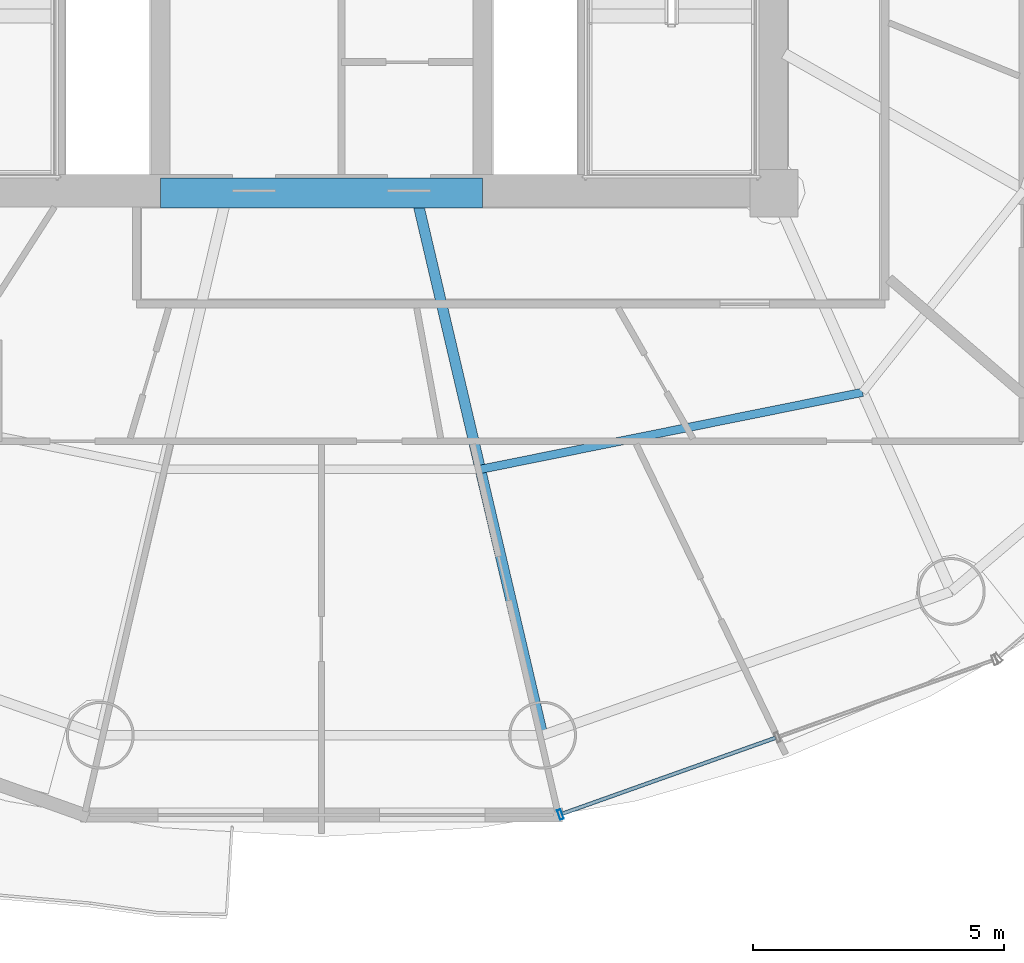
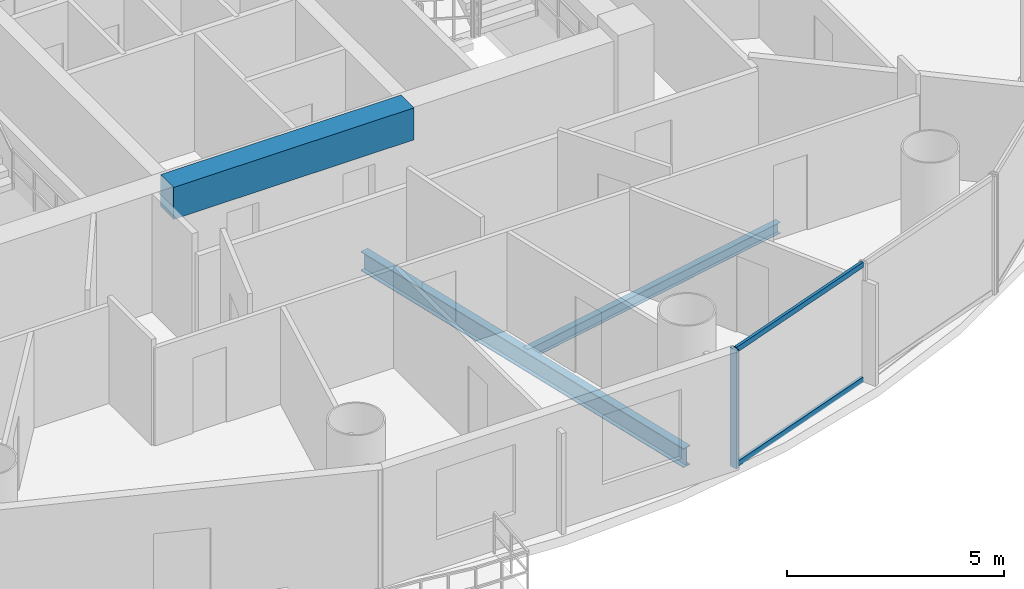
# One storey, part 5 of 27: 3 beams, 3 members, 1 element without a shape of its own.
"""IFC4 building model written with IfcOpenShell, lengths in metres."""

from ifc_helpers import new_model, si_unit, direction, frame, origin, origin_2d, place, context, subcontext, project, spatial, rectangle, hollow_rectangle, i_section, extrude, source, transform, mapped, material, material_profile, profile_set, type_object, element, aggregate, save


model = new_model("IFC4")

# Units and contexts
model_context = context("Model", 3, precision=1e-05, world=origin(), true_north=direction((-0.2419218956, 0.970295726276)))
body_context = subcontext(model_context, "Body", "Model", "MODEL_VIEW")
ifc_project = project(units=[si_unit("LENGTHUNIT", "METRE"), si_unit("AREAUNIT", "SQUARE_METRE"), si_unit("VOLUMEUNIT", "CUBIC_METRE"), si_unit("PLANEANGLEUNIT", "RADIAN"), si_unit("MASSUNIT", "GRAM", prefix="KILO")], contexts=[model_context])

# Site, building, storey
site_placement = place(None, origin())
site = spatial("IfcSite", under=ifc_project, at=site_placement, CompositionType="ELEMENT")
building_placement = place(site_placement, origin())
building = spatial("IfcBuilding", under=site, at=building_placement, Name="Cobrevalo Terracotta Tower", CompositionType="ELEMENT")
storey_placement = place(building_placement, frame((0.0, 0.0, 149.800048828125)))
storey = spatial("IfcBuildingStorey", under=building, at=storey_placement, Name="L39", CompositionType="ELEMENT", Elevation=149.800048828125)

# Beams
ifc_material_1 = material(Name="Concrete C60", Category="concrete")
ifc_material_profile_1 = material_profile(ifc_material_1, rectangle(XDim=0.60009765625, YDim=0.89990234375, at=origin_2d()), Name="RC CB 600x900")
ifc_profile_set_1 = profile_set([ifc_material_profile_1], Name="Concrete C60")
beam_type_1 = type_object("IfcBeamType", Name="Structural Beam RC CB 600x900 (Concrete C60)", PredefinedType="BEAM", material=ifc_profile_set_1)
beam_1_placement = place(storey_placement, frame((34.800048828125, 18.800048828125, 2.8798828125), z_axis=(1.0, 0.0, 0.0), x_axis=(0.0, 1.0, 0.0)))
element("IfcBeam", 1, at=beam_1_placement, inside=storey, type_object=beam_type_1, Name="L39 core coupling beam 1", PredefinedType="BEAM", context=body_context, shape_type="SweptSolid", body=[
    extrude(rectangle(XDim=0.60009765625, YDim=0.89990234375, at=origin_2d()), origin(), (0.0, 0.0, 1.0), 6.39990234375),
])
ifc_material_2 = material(Name="Steel S355", Category="steel")
ifc_material_profile_2 = material_profile(ifc_material_2, i_section(OverallWidth=0.2109375, OverallDepth=0.5390625, WebThickness=0.01171875, FlangeThickness=0.018798828125, at=origin_2d()), Name="W 530x109")
ifc_profile_set_2 = profile_set([ifc_material_profile_2], Name="Steel S355")
beam_type_2 = type_object("IfcBeamType", Name="Structural Beam W 530x109 (Steel S355)", PredefinedType="BEAM", material=ifc_profile_set_2)
beam_2_placement = place(storey_placement, frame((42.399169921875, 8.01806640625, -0.53955078125), z_axis=(-0.228045854186, 0.973650393308, 0.0), x_axis=(-0.973650393308, -0.228045854186, 0.0)))
element("IfcBeam", 2, at=beam_2_placement, inside=storey, type_object=beam_type_2, Name="L39 radial floor girder 13", PredefinedType="BEAM", context=body_context, shape_type="SweptSolid", body=[
    extrude(i_section(OverallWidth=0.2109375, OverallDepth=0.5390625, WebThickness=0.01171875, FlangeThickness=0.018798828125, at=origin_2d()), origin(), (0.0, 0.0, 1.0), 10.863037109375),
])
ifc_material_profile_3 = material_profile(ifc_material_2, i_section(OverallWidth=0.1650390625, OverallDepth=0.31005859375, WebThickness=0.005859375, FlangeThickness=0.009765625, at=origin_2d()), Name="W 310x38.7")
ifc_profile_set_3 = profile_set([ifc_material_profile_3], Name="Steel S355")
beam_type_3 = type_object("IfcBeamType", Name="Structural Joist W 310x38.7 (Steel S355)", PredefinedType="JOIST", material=ifc_profile_set_3)
beam_3_placement = place(storey_placement, frame((41.16064453125, 13.306396484375, -0.425048828125), z_axis=(0.980293928329, 0.197544461026, 0.0), x_axis=(-0.197544461026, 0.980293928329, 0.0)))
element("IfcBeam", 3, at=beam_3_placement, inside=storey, type_object=beam_type_3, Name="L39 circumferential secondary floor joist 13", PredefinedType="JOIST", context=body_context, shape_type="SweptSolid", body=[
    extrude(i_section(OverallWidth=0.1650390625, OverallDepth=0.31005859375, WebThickness=0.005859375, FlangeThickness=0.009765625, at=origin_2d()), origin(), (0.0, 0.0, 1.0), 7.75634765625),
])

# Curtain wall, members
ifc_material_3 = material(Name="Anodized aluminium", Category="aluminium")
curtain_wall_type = type_object("IfcCurtainWallType", Name="Mid-tower high-wind unitised curtain wall CW-U2", PredefinedType="NOTDEFINED", material=ifc_material_3)
curtain_wall_placement = place(storey_placement, origin())
curtain_wall = element("IfcCurtainWall", 4, at=curtain_wall_placement, inside=storey, type_object=curtain_wall_type, Name="L39 curtain wall CW-L39-S13", PredefinedType="NOTDEFINED")
ifc_material_profile_4 = material_profile(ifc_material_3, hollow_rectangle(XDim=0.074951171875, YDim=0.199951171875, WallThickness=0.0048828125, at=origin_2d()), Name="CWM 75x200")
ifc_profile_set_4 = profile_set([ifc_material_profile_4], Name="Anodized aluminium")
member_type_1 = type_object("IfcMemberType", Name="Lower/mid tower unitised mullion 75x200", PredefinedType="MULLION", material=ifc_profile_set_4)
shared_shape_1 = source(origin(), body_context, "Body", "SweptSolid", [
    extrude(hollow_rectangle(XDim=0.074951171875, YDim=0.199951171875, WallThickness=0.0048828125, at=origin_2d()), origin(), (0.0, 0.0, 1.0), 3.329833984375),
])
member_1_placement = place(storey_placement, frame((42.7529296875, 6.4423828125, 0.0), z_axis=(0.0, 0.0, 1.0), x_axis=(0.942098428897, 0.335336473217, 0.0)))
member_1 = element("IfcMember", 5, at=member_1_placement, type_object=member_type_1, Name="CW-L39-S13 vertical mullion 01", PredefinedType="MULLION", context=body_context, shape_type="MappedRepresentation", body=[
    mapped(shared_shape_1, transform((0.0, 0.0, 0.0), scale=1.0)),
])
ifc_material_profile_5 = material_profile(ifc_material_3, hollow_rectangle(XDim=0.074951171875, YDim=0.14990234375, WallThickness=0.00439453125, at=origin_2d()), Name="CWT 75x150")
ifc_profile_set_5 = profile_set([ifc_material_profile_5], Name="Anodized aluminium")
member_type_2 = type_object("IfcMemberType", Name="Tower unitised aluminium transom 75x150", PredefinedType="USERDEFINED", material=ifc_profile_set_5)
shared_shape_2 = source(origin(), body_context, "Body", "SweptSolid", [
    extrude(hollow_rectangle(XDim=0.074951171875, YDim=0.14990234375, WallThickness=0.00439453125, at=origin_2d()), origin(), (0.0, 0.0, 1.0), 4.50390625),
])
member_2_placement = place(storey_placement, frame((42.790771484375, 6.455810546875, 0.050048828125), z_axis=(0.942087248155, 0.335367882873, 0.0), x_axis=(-0.335367882873, 0.942087248155, 0.0)))
member_2 = element("IfcMember", 6, at=member_2_placement, type_object=member_type_2, Name="CW-L39-S13 transom B01-T1", ObjectType="TRANSOM", PredefinedType="USERDEFINED", context=body_context, shape_type="MappedRepresentation", body=[
    mapped(shared_shape_2, transform((0.0, 0.0, 0.0), scale=1.0)),
])
member_3_placement = place(storey_placement, frame((42.790771484375, 6.455810546875, 3.280029296875), z_axis=(0.942087248155, 0.335367882873, 0.0), x_axis=(-0.335367882873, 0.942087248155, 0.0)))
member_3 = element("IfcMember", 7, at=member_3_placement, type_object=member_type_2, Name="CW-L39-S13 transom B01-T2", ObjectType="TRANSOM", PredefinedType="USERDEFINED", context=body_context, shape_type="MappedRepresentation", body=[
    mapped(shared_shape_2, transform((0.0, 0.0, 0.0), scale=1.0)),
])
aggregate(curtain_wall, [member_1, member_2, member_3])

save(model, "model.ifc")
